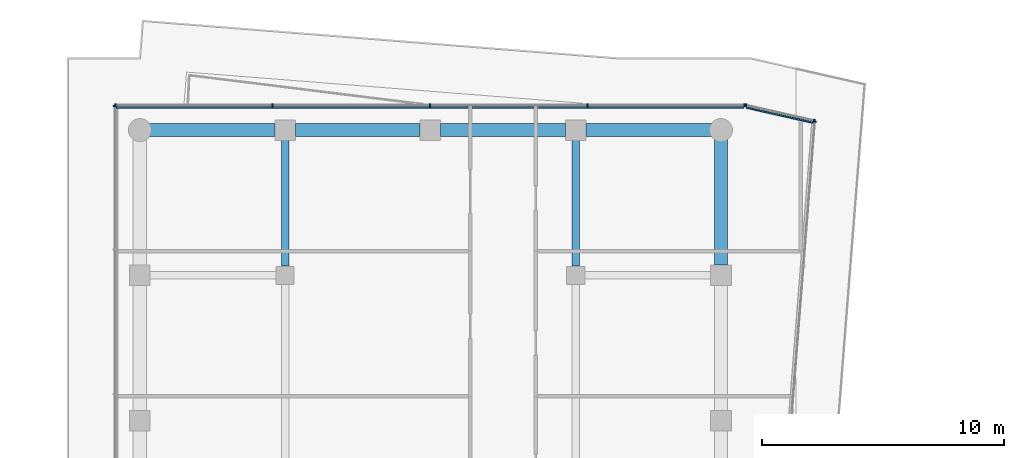
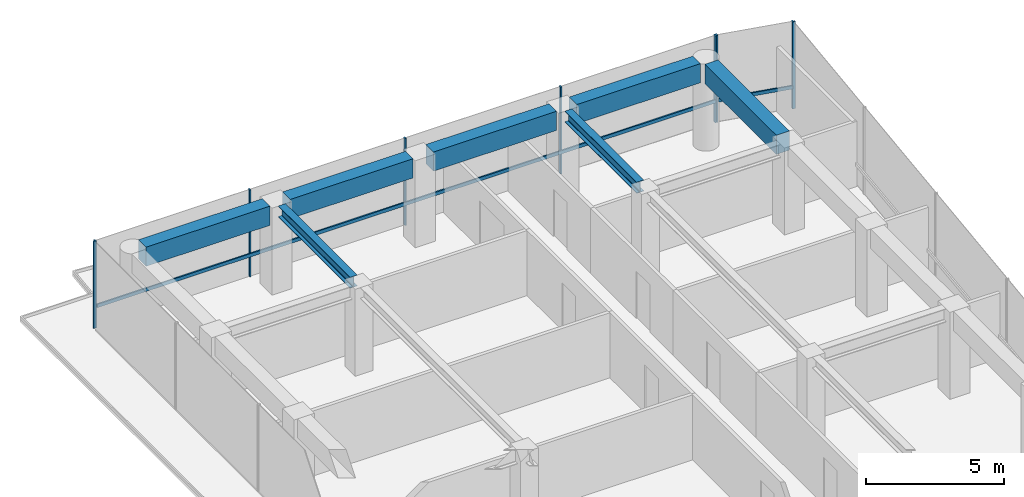
# One storey, part 16 of 22: 11 members, 7 beams, 4 elements without a shape of their own.
"""IFC4 building model written with IfcOpenShell, lengths in metres."""

from ifc_helpers import new_model, si_unit, direction, frame, origin, origin_2d, place, context, subcontext, project, spatial, rectangle, i_section, extrude, material, layer, layer_set, material_profile, profile_set, type_object, element, aggregate, save


model = new_model("IFC4")

# Units and contexts
model_context = context("Model", 3, precision=1e-05, world=origin(), true_north=direction((0.0, 1.0)))
body_context = subcontext(model_context, "Body", "Model", "MODEL_VIEW")
ifc_project = project(units=[si_unit("LENGTHUNIT", "METRE"), si_unit("AREAUNIT", "SQUARE_METRE"), si_unit("VOLUMEUNIT", "CUBIC_METRE"), si_unit("PLANEANGLEUNIT", "RADIAN"), si_unit("MASSUNIT", "GRAM", prefix="KILO")], contexts=[model_context])

# Site, building, storey
site_placement = place(None, origin())
site = spatial("IfcSite", under=ifc_project, at=site_placement, CompositionType="ELEMENT")
building_placement = place(site_placement, origin())
building = spatial("IfcBuilding", under=site, at=building_placement, Name="Welwitschia Terrace Campus", CompositionType="ELEMENT")
storey_placement = place(building_placement, frame((0.0, 0.0, 150.800048828125)))
storey = spatial("IfcBuildingStorey", under=building, at=storey_placement, Name="L33", CompositionType="ELEMENT", Elevation=150.800048828125)

# Beams
ifc_material_1 = material(Name="Steel S355", Category="steel")
ifc_material_profile_1 = material_profile(ifc_material_1, i_section(OverallWidth=0.300048828125, OverallDepth=0.489990234375, WebThickness=0.011962890625, FlangeThickness=0.02294921875, FilletRadius=0.027099609375, at=origin_2d()))
ifc_profile_set_1 = profile_set([ifc_material_profile_1], Name="Steel S355")
beam_type_1 = type_object("IfcBeamType", Name="Interior girder HE 500 A", PredefinedType="BEAM", material=ifc_profile_set_1)
for number, where, z_axis, x_axis, name in (
    (1, (6.0, 56.37548828125, 3.60498046875), (0.0, 1.0, 0.0), (-1.0, 0.0, 0.0), "Girder GB4"),
    (2, (18.0, 56.37548828125, 3.60498046875), (0.0, 1.0, 0.0), (-1.0, 0.0, 0.0), "Girder GB4"),
):
    element("IfcBeam", number, at=place(storey_placement, frame(where, z_axis=z_axis, x_axis=x_axis)), inside=storey, type_object=beam_type_1, Name=name, PredefinedType="BEAM", context=body_context, shape_type="SweptSolid", body=[
        extrude(i_section(OverallWidth=0.300048828125, OverallDepth=0.489990234375, WebThickness=0.011962890625, FlangeThickness=0.02294921875, FilletRadius=0.027099609375, at=origin_2d()), origin(), (0.0, 0.0, 1.0), 5.208984375),
    ])

# Curtain wall, member
ifc_material_2 = material(Name="Bronze anodised aluminium", Category="aluminium")
ifc_layer = layer(ifc_material_2, 0.1201171875)
ifc_layer_set = layer_set([ifc_layer], Name="Bronze anodised aluminium")
curtain_wall_type = type_object("IfcCurtainWallType", Name="Curtain wall CW2 tower 6000", PredefinedType="NOTDEFINED", material=ifc_layer_set)
curtain_wall_1_placement = place(storey_placement, origin())
curtain_wall_1 = element("IfcCurtainWall", 3, at=curtain_wall_1_placement, inside=storey, type_object=curtain_wall_type, Name="CW L33.0.0", PredefinedType="NOTDEFINED")
ifc_material_3 = material(Name="Bronze anodised aluminium", Category="aluminium")
ifc_material_profile_2 = material_profile(ifc_material_3, rectangle(XDim=0.1201171875, YDim=0.06005859375, at=origin_2d()))
ifc_profile_set_2 = profile_set([ifc_material_profile_2], Name="Bronze anodised aluminium")
member_type_1 = type_object("IfcMemberType", Name="Mullion 60x120", PredefinedType="MULLION", material=ifc_profile_set_2)
member_1_placement = place(storey_placement, frame((-1.030029296875, 63.0, 0.0), z_axis=(0.0, 0.0, 1.0), x_axis=(1.0, 0.0, 0.0)))
member_1 = element("IfcMember", 4, at=member_1_placement, type_object=member_type_1, Name="Mullion L33.0.0.0", PredefinedType="MULLION", context=body_context, shape_type="SweptSolid", body=[
    extrude(rectangle(XDim=0.1201171875, YDim=0.06005859375, at=origin_2d()), origin(), (0.0, 0.0, 1.0), 3.849853515625),
])
aggregate(curtain_wall_1, [member_1])

curtain_wall_2_placement = place(storey_placement, origin())
curtain_wall_2 = element("IfcCurtainWall", 5, at=curtain_wall_2_placement, inside=storey, type_object=curtain_wall_type, Name="CW L33.9.0", PredefinedType="NOTDEFINED")
member_2_placement = place(storey_placement, frame((27.87646484375, 62.3486328125, 0.0), z_axis=(0.0, 0.0, 1.0), x_axis=(-0.996917333733, 0.078459095728, 0.0)))
member_2 = element("IfcMember", 6, at=member_2_placement, type_object=member_type_1, Name="Mullion L33.9.0.6", PredefinedType="MULLION", context=body_context, shape_type="SweptSolid", body=[
    extrude(rectangle(XDim=0.1201171875, YDim=0.06005859375, at=origin_2d()), origin(), (0.0, 0.0, 1.0), 3.849853515625),
])
aggregate(curtain_wall_2, [member_2])

# Curtain wall, members
curtain_wall_3_placement = place(storey_placement, origin())
curtain_wall_3 = element("IfcCurtainWall", 7, at=curtain_wall_3_placement, inside=storey, type_object=curtain_wall_type, Name="CW L33.10.0", PredefinedType="NOTDEFINED")
member_3_placement = place(storey_placement, frame((27.849609375, 62.385009765625, 0.0), z_axis=(0.0, 0.0, 1.0), x_axis=(-0.220996917361, -0.975274506238, 0.0)))
member_3 = element("IfcMember", 8, at=member_3_placement, type_object=member_type_1, Name="Mullion L33.10.0.0", PredefinedType="MULLION", context=body_context, shape_type="SweptSolid", body=[
    extrude(rectangle(XDim=0.1201171875, YDim=0.06005859375, at=origin_2d()), origin(), (0.0, 0.0, 1.0), 3.849853515625),
])
member_4_placement = place(storey_placement, frame((25.03271484375, 63.0234375, 0.0), z_axis=(0.0, 0.0, 1.0), x_axis=(-0.220996917361, -0.975274506238, 0.0)))
member_4 = element("IfcMember", 9, at=member_4_placement, type_object=member_type_1, Name="Mullion L33.10.0.1", PredefinedType="MULLION", context=body_context, shape_type="SweptSolid", body=[
    extrude(rectangle(XDim=0.1201171875, YDim=0.06005859375, at=origin_2d()), origin(), (0.0, 0.0, 1.0), 3.849853515625),
])

curtain_wall_4_placement = place(storey_placement, origin())
curtain_wall_4 = element("IfcCurtainWall", 10, at=curtain_wall_4_placement, inside=storey, type_object=curtain_wall_type, Name="CW L33.11.0", PredefinedType="NOTDEFINED")
member_5_placement = place(storey_placement, frame((24.973388671875, 63.030029296875, 0.0), z_axis=(0.0, 0.0, 1.0), x_axis=(0.0, -1.0, 0.0)))
member_5 = element("IfcMember", 11, at=member_5_placement, type_object=member_type_1, Name="Mullion L33.11.0.0", PredefinedType="MULLION", context=body_context, shape_type="SweptSolid", body=[
    extrude(rectangle(XDim=0.1201171875, YDim=0.06005859375, at=origin_2d()), origin(), (0.0, 0.0, 1.0), 3.849853515625),
])
member_6_placement = place(storey_placement, frame((18.4951171875, 63.030029296875, 0.0), z_axis=(0.0, 0.0, 1.0), x_axis=(0.0, -1.0, 0.0)))
member_6 = element("IfcMember", 12, at=member_6_placement, type_object=member_type_1, Name="Mullion L33.11.0.1", PredefinedType="MULLION", context=body_context, shape_type="SweptSolid", body=[
    extrude(rectangle(XDim=0.1201171875, YDim=0.06005859375, at=origin_2d()), origin(), (0.0, 0.0, 1.0), 3.849853515625),
])
member_7_placement = place(storey_placement, frame((11.986572265625, 63.030029296875, 0.0), z_axis=(0.0, 0.0, 1.0), x_axis=(0.0, -1.0, 0.0)))
member_7 = element("IfcMember", 13, at=member_7_placement, type_object=member_type_1, Name="Mullion L33.11.0.2", PredefinedType="MULLION", context=body_context, shape_type="SweptSolid", body=[
    extrude(rectangle(XDim=0.1201171875, YDim=0.06005859375, at=origin_2d()), origin(), (0.0, 0.0, 1.0), 3.849853515625),
])
member_8_placement = place(storey_placement, frame((5.478271484375, 63.030029296875, 0.0), z_axis=(0.0, 0.0, 1.0), x_axis=(0.0, -1.0, 0.0)))
member_8 = element("IfcMember", 14, at=member_8_placement, type_object=member_type_1, Name="Mullion L33.11.0.3", PredefinedType="MULLION", context=body_context, shape_type="SweptSolid", body=[
    extrude(rectangle(XDim=0.1201171875, YDim=0.06005859375, at=origin_2d()), origin(), (0.0, 0.0, 1.0), 3.849853515625),
])
member_9_placement = place(storey_placement, frame((-1.0, 63.030029296875, 0.0), z_axis=(0.0, 0.0, 1.0), x_axis=(0.0, -1.0, 0.0)))
member_9 = element("IfcMember", 15, at=member_9_placement, type_object=member_type_1, Name="Mullion L33.11.0.4", PredefinedType="MULLION", context=body_context, shape_type="SweptSolid", body=[
    extrude(rectangle(XDim=0.1201171875, YDim=0.06005859375, at=origin_2d()), origin(), (0.0, 0.0, 1.0), 3.849853515625),
])

# Beams
ifc_material_4 = material(Name="Concrete C50/60", Category="concrete")
ifc_material_profile_3 = material_profile(ifc_material_4, rectangle(XDim=0.550048828125, YDim=0.85009765625, at=origin_2d()))
ifc_profile_set_3 = profile_set([ifc_material_profile_3], Name="Concrete C50/60")
beam_type_2 = type_object("IfcBeamType", Name="Ring spandrel 550x850", PredefinedType="SPANDREL", material=ifc_profile_set_3)
for number, where, z_axis, x_axis, name in (
    (16, (24.0, 56.425537109375, 3.425048828125), (0.0, 1.0, 0.0), (-1.0, 0.0, 0.0), "Spandrel SP3"),
    (17, (23.612060546875, 62.0, 3.425048828125), (-1.0, 0.0, 0.0), (0.0, -1.0, 0.0), "Spandrel SP3"),
):
    element("IfcBeam", number, at=place(storey_placement, frame(where, z_axis=z_axis, x_axis=x_axis)), inside=storey, type_object=beam_type_2, Name=name, PredefinedType="SPANDREL", context=body_context, shape_type="SweptSolid", body=[
        extrude(rectangle(XDim=0.550048828125, YDim=0.85009765625, at=origin_2d()), origin(), (0.0, 0.0, 1.0), 5.1865234375),
    ])
for number, where, z_axis, x_axis, name in (
    (18, (17.574462890625, 62.0, 3.425048828125), (-1.0, 0.0, 0.0), (0.0, -1.0, 0.0), "Spandrel SP3"),
    (19, (11.574462890625, 62.0, 3.425048828125), (-1.0, 0.0, 0.0), (0.0, -1.0, 0.0), "Spandrel SP3"),
):
    element("IfcBeam", number, at=place(storey_placement, frame(where, z_axis=z_axis, x_axis=x_axis)), inside=storey, type_object=beam_type_2, Name=name, PredefinedType="SPANDREL", context=body_context, shape_type="SweptSolid", body=[
        extrude(rectangle(XDim=0.550048828125, YDim=0.85009765625, at=origin_2d()), origin(), (0.0, 0.0, 1.0), 5.14892578125),
    ])
beam_placement = place(storey_placement, frame((5.574462890625, 62.0, 3.425048828125), z_axis=(-1.0, 0.0, 0.0), x_axis=(0.0, -1.0, 0.0)))
element("IfcBeam", 20, at=beam_placement, inside=storey, type_object=beam_type_2, Name="Spandrel SP3", PredefinedType="SPANDREL", context=body_context, shape_type="SweptSolid", body=[
    extrude(rectangle(XDim=0.550048828125, YDim=0.85009765625, at=origin_2d()), origin(), (0.0, 0.0, 1.0), 5.1865234375),
])

# Member
ifc_material_5 = material(Name="Bronze anodised aluminium", Category="aluminium")
ifc_material_profile_4 = material_profile(ifc_material_5, rectangle(XDim=0.06005859375, YDim=0.14990234375, at=origin_2d()))
ifc_profile_set_4 = profile_set([ifc_material_profile_4], Name="Bronze anodised aluminium")
member_type_2 = type_object("IfcMemberType", Name="Transom 60x150", PredefinedType="USERDEFINED", material=ifc_profile_set_4)
member_10_placement = place(storey_placement, frame((27.80029296875, 62.303955078125, 1.0), z_axis=(-0.975276803763, 0.220986777981, 0.0), x_axis=(-0.220986777981, -0.975276803763, 0.0)))
member_10 = element("IfcMember", 21, at=member_10_placement, type_object=member_type_2, Name="Transom L33.10.0", ObjectType="TRANSOM", PredefinedType="USERDEFINED", context=body_context, shape_type="SweptSolid", body=[
    extrude(rectangle(XDim=0.06005859375, YDim=0.14990234375, at=origin_2d()), origin(), (0.0, 0.0, 1.0), 2.828125),
])

aggregate(curtain_wall_3, [member_3, member_4, member_10])

member_11_placement = place(storey_placement, frame((24.943359375, 62.93994140625, 1.0), z_axis=(-1.0, 0.0, 0.0), x_axis=(0.0, -1.0, 0.0)))
member_11 = element("IfcMember", 22, at=member_11_placement, type_object=member_type_2, Name="Transom L33.11.0", ObjectType="TRANSOM", PredefinedType="USERDEFINED", context=body_context, shape_type="SweptSolid", body=[
    extrude(rectangle(XDim=0.06005859375, YDim=0.14990234375, at=origin_2d()), origin(), (0.0, 0.0, 1.0), 25.913330078125),
])

aggregate(curtain_wall_4, [member_5, member_6, member_7, member_8, member_9, member_11])

save(model, "model.ifc")
